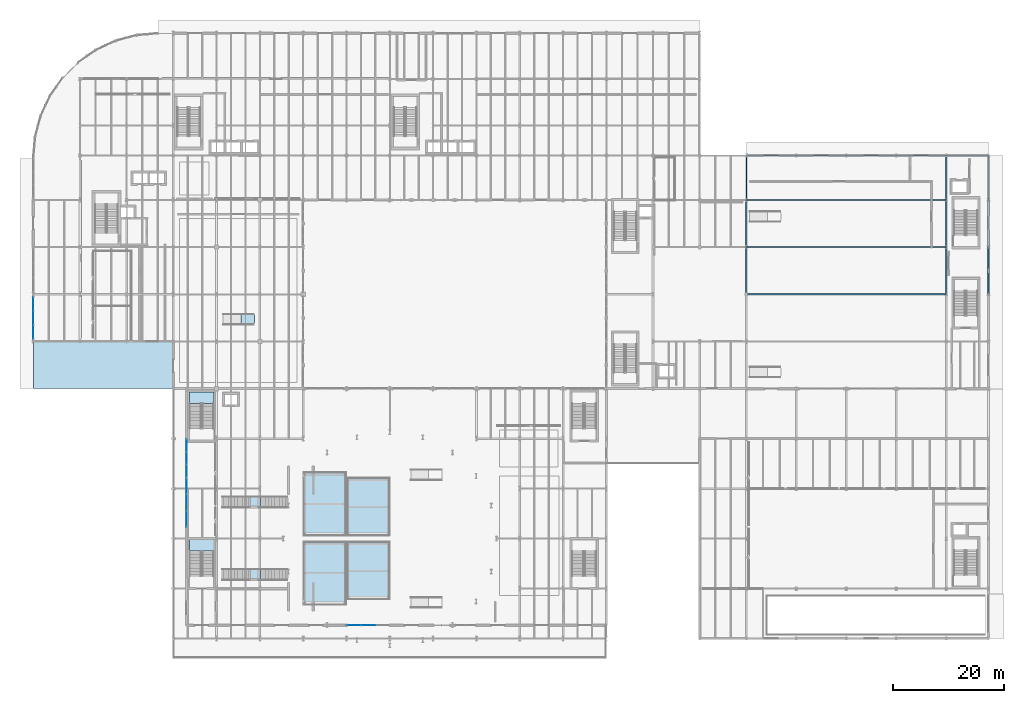
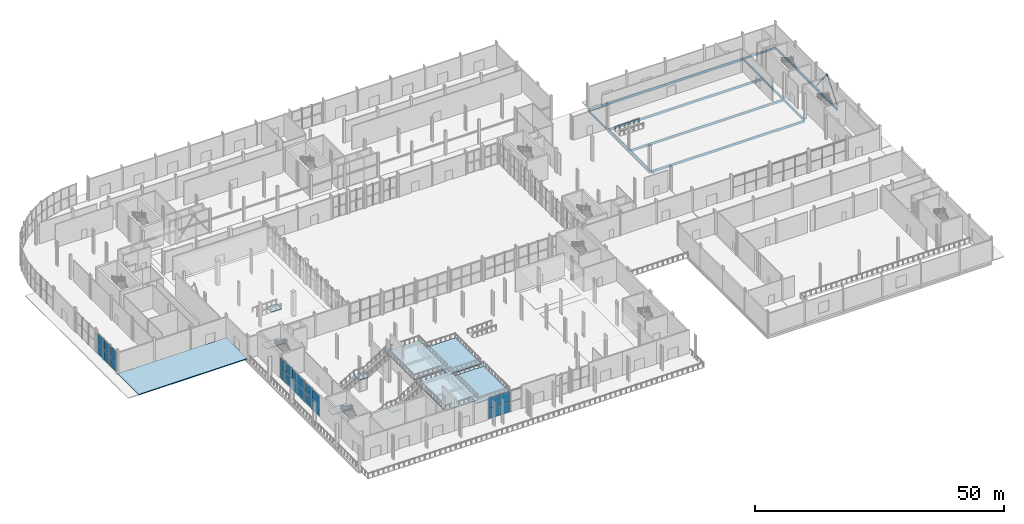
# One storey, part 45 of 84: 22 plates, 17 beams, 10 slabs, 2 members, 9 elements without a shape of their own.
"""IFC4 building model written with IfcOpenShell, lengths in metres."""

from ifc_helpers import new_model, si_unit, direction, frame, origin, origin_2d, place, context, subcontext, project, spatial, polyline, rectangle, hollow_circle, i_section, outline, extrude, material, layer, layer_set, material_profile, profile_set, type_object, element, aggregate, save


model = new_model("IFC4")

# Units and contexts
model_context = context("Model", 3, precision=1e-05, world=origin(), true_north=direction((0.0, 1.0)))
body_context = subcontext(model_context, "Body", "Model", "MODEL_VIEW")
ifc_project = project(units=[si_unit("LENGTHUNIT", "METRE"), si_unit("AREAUNIT", "SQUARE_METRE"), si_unit("VOLUMEUNIT", "CUBIC_METRE"), si_unit("PLANEANGLEUNIT", "RADIAN"), si_unit("MASSUNIT", "GRAM", prefix="KILO")], contexts=[model_context])

# Site, building, storey
site_placement = place(None, origin())
site = spatial("IfcSite", under=ifc_project, at=site_placement, CompositionType="ELEMENT")
building_placement = place(site_placement, origin())
building = spatial("IfcBuilding", under=site, at=building_placement, Name="Sefraquen Railside Congress Hotel", CompositionType="ELEMENT")
storey_placement = place(building_placement, origin())
storey = spatial("IfcBuildingStorey", under=building, at=storey_placement, Name="L00", CompositionType="ELEMENT", Elevation=0.0)

# Beams
ifc_material_1 = material(Name="Steel S355JR", Category="steel")
ifc_material_profile_1 = material_profile(ifc_material_1, i_section(OverallWidth=0.18994140625, OverallDepth=0.449951171875, WebThickness=0.009521484375, FlangeThickness=0.0146484375, FilletRadius=0.02099609375, at=origin_2d()), Name="IPE 450")
ifc_profile_set_1 = profile_set([ifc_material_profile_1], Name="Steel S355JR")
beam_type_1 = type_object("IfcBeamType", Name="TB-BM-450", PredefinedType="BEAM", material=ifc_profile_set_1)
for number, where, z_axis, x_axis, name in (
    (1, (128.39990234375, 88.0, -0.625), (0.0, 1.0, 0.0), (-1.0, 0.0, 0.0), "Floor beam BM-L00-0313"),
    (2, (164.39990234375, 88.0, -0.625), (0.0, 1.0, 0.0), (-1.0, 0.0, 0.0), "Floor beam BM-L00-0328"),
    (3, (172.0, 88.0, -0.625), (0.0, 1.0, 0.0), (-1.0, 0.0, 0.0), "Floor beam BM-L00-0338"),
):
    element("IfcBeam", number, at=place(storey_placement, frame(where, z_axis=z_axis, x_axis=x_axis)), inside=storey, type_object=beam_type_1, Name=name, PredefinedType="BEAM", context=body_context, shape_type="SweptSolid", body=[
        extrude(i_section(OverallWidth=0.18994140625, OverallDepth=0.449951171875, WebThickness=0.009521484375, FlangeThickness=0.0146484375, FilletRadius=0.02099609375, at=origin_2d()), origin(), (0.0, 0.0, 1.0), 8.0),
    ])
ifc_material_profile_2 = material_profile(ifc_material_1, i_section(OverallWidth=0.199951171875, OverallDepth=0.5, WebThickness=0.01025390625, FlangeThickness=0.01611328125, FilletRadius=0.02099609375, at=origin_2d()), Name="IPE 500")
ifc_profile_set_2 = profile_set([ifc_material_profile_2], Name="Steel S355JR")
beam_type_2 = type_object("IfcBeamType", Name="TB-BM-500", PredefinedType="BEAM", material=ifc_profile_set_2)
beam_placement = place(storey_placement, frame((164.39990234375, 96.0, -0.64990234375), z_axis=(1.0, 0.0, 0.0), x_axis=(0.0, 1.0, 0.0)))
element("IfcBeam", 4, at=beam_placement, inside=storey, type_object=beam_type_2, Name="Primary girder BM-L00-0134", PredefinedType="BEAM", context=body_context, shape_type="SweptSolid", body=[
    extrude(i_section(OverallWidth=0.199951171875, OverallDepth=0.5, WebThickness=0.01025390625, FlangeThickness=0.01611328125, FilletRadius=0.02099609375, at=origin_2d()), origin(), (0.0, 0.0, 1.0), 7.60009765625),
])
ifc_material_profile_3 = material_profile(ifc_material_1, i_section(OverallWidth=0.300048828125, OverallDepth=0.489990234375, WebThickness=0.011962890625, FlangeThickness=0.02294921875, FilletRadius=0.027099609375, at=origin_2d()), Name="HEA 500")
ifc_profile_set_3 = profile_set([ifc_material_profile_3], Name="Steel S355JR")
beam_type_3 = type_object("IfcBeamType", Name="TB-GIR-500", PredefinedType="T_BEAM", material=ifc_profile_set_3)
for number, where, z_axis, x_axis, name in (
    (5, (128.39990234375, 71.0, -0.64501953125), (0.0, 1.0, 0.0), (-1.0, 0.0, 0.0), "Floor beam BM-L00-0311"),
    (6, (128.39990234375, 79.5, -0.64501953125), (0.0, 1.0, 0.0), (-1.0, 0.0, 0.0), "Floor beam BM-L00-0312"),
    (7, (164.39990234375, 71.0, -0.64501953125), (0.0, 1.0, 0.0), (-1.0, 0.0, 0.0), "Floor beam BM-L00-0326"),
    (8, (164.39990234375, 79.5, -0.64501953125), (0.0, 1.0, 0.0), (-1.0, 0.0, 0.0), "Floor beam BM-L00-0327"),
    (9, (172.0, 71.0, -0.64501953125), (0.0, 1.0, 0.0), (-1.0, 0.0, 0.0), "Floor beam BM-L00-0336"),
    (10, (172.0, 79.5, -0.64501953125), (0.0, 1.0, 0.0), (-1.0, 0.0, 0.0), "Floor beam BM-L00-0337"),
):
    element("IfcBeam", number, at=place(storey_placement, frame(where, z_axis=z_axis, x_axis=x_axis)), inside=storey, type_object=beam_type_3, Name=name, PredefinedType="T_BEAM", context=body_context, shape_type="SweptSolid", body=[
        extrude(i_section(OverallWidth=0.300048828125, OverallDepth=0.489990234375, WebThickness=0.011962890625, FlangeThickness=0.02294921875, FilletRadius=0.027099609375, at=origin_2d()), origin(), (0.0, 0.0, 1.0), 8.5),
    ])
ifc_material_profile_4 = material_profile(ifc_material_1, i_section(OverallWidth=0.219970703125, OverallDepth=0.60009765625, WebThickness=0.011962890625, FlangeThickness=0.01904296875, FilletRadius=0.02392578125, at=origin_2d()), Name="IPE 600")
ifc_profile_set_4 = profile_set([ifc_material_profile_4], Name="Steel S355JR")
beam_type_4 = type_object("IfcBeamType", Name="TB-GIR-600", PredefinedType="T_BEAM", material=ifc_profile_set_4)
for number, where, z_axis, x_axis, name in (
    (11, (128.39990234375, 71.0, -0.699951171875), (1.0, 0.0, 0.0), (0.0, 1.0, 0.0), "Primary girder BM-L00-0089"),
    (12, (128.39990234375, 79.5, -0.699951171875), (1.0, 0.0, 0.0), (0.0, 1.0, 0.0), "Primary girder BM-L00-0098"),
    (13, (128.39990234375, 88.0, -0.699951171875), (1.0, 0.0, 0.0), (0.0, 1.0, 0.0), "Primary girder BM-L00-0114"),
):
    element("IfcBeam", number, at=place(storey_placement, frame(where, z_axis=z_axis, x_axis=x_axis)), inside=storey, type_object=beam_type_4, Name=name, PredefinedType="T_BEAM", context=body_context, shape_type="SweptSolid", body=[
        extrude(i_section(OverallWidth=0.219970703125, OverallDepth=0.60009765625, WebThickness=0.011962890625, FlangeThickness=0.01904296875, FilletRadius=0.02392578125, at=origin_2d()), origin(), (0.0, 0.0, 1.0), 36.0),
    ])
for number, where, z_axis, x_axis, name in (
    (14, (128.39990234375, 96.0, -0.699951171875), (1.0, 0.0, 0.0), (0.0, 1.0, 0.0), "Primary girder BM-L00-0130"),
    (15, (137.39990234375, 96.0, -0.699951171875), (1.0, 0.0, 0.0), (0.0, 1.0, 0.0), "Primary girder BM-L00-0131"),
    (16, (146.39990234375, 96.0, -0.699951171875), (1.0, 0.0, 0.0), (0.0, 1.0, 0.0), "Primary girder BM-L00-0132"),
    (17, (155.39990234375, 96.0, -0.699951171875), (1.0, 0.0, 0.0), (0.0, 1.0, 0.0), "Primary girder BM-L00-0133"),
):
    element("IfcBeam", number, at=place(storey_placement, frame(where, z_axis=z_axis, x_axis=x_axis)), inside=storey, type_object=beam_type_4, Name=name, PredefinedType="T_BEAM", context=body_context, shape_type="SweptSolid", body=[
        extrude(i_section(OverallWidth=0.219970703125, OverallDepth=0.60009765625, WebThickness=0.011962890625, FlangeThickness=0.01904296875, FilletRadius=0.02392578125, at=origin_2d()), origin(), (0.0, 0.0, 1.0), 9.0),
    ])

# Members
ifc_material_2 = material(Name="Steel S355J2", Category="steel")
ifc_material_profile_5 = material_profile(ifc_material_2, hollow_circle(Radius=0.136474609375, WallThickness=0.012451171875, at=origin_2d()), Name="CHS 273x12.5")
ifc_profile_set_5 = profile_set([ifc_material_profile_5], Name="Steel S355J2")
member_type = type_object("IfcMemberType", Name="TM-BR-273", PredefinedType="BRACE", material=ifc_profile_set_5)
for number, where, z_axis, x_axis, name in (
    (18, (172.0, 71.0, 0.14990234375), (0.0, 0.625588676806, 0.780153066681), (-1.0, 0.0, 0.0), "Chevron braced-frame diagonal BF3-L L00"),
    (19, (172.0, 79.5, 0.14990234375), (0.0, -0.625588676806, 0.780153066681), (1.0, 0.0, 0.0), "Chevron braced-frame diagonal BF3-R L00"),
):
    element("IfcMember", number, at=place(storey_placement, frame(where, z_axis=z_axis, x_axis=x_axis)), inside=storey, type_object=member_type, Name=name, PredefinedType="BRACE", context=body_context, shape_type="SweptSolid", body=[
        extrude(hollow_circle(Radius=0.136474609375, WallThickness=0.012451171875, at=origin_2d()), origin(), (0.0, 0.0, 1.0), 6.793701171875),
    ])

# Curtain wall, plates
ifc_material_3 = material(Name="Thermally broken anodised aluminium and low-E double glazing", Category="aluminium")
ifc_layer_1 = layer(ifc_material_3, 0.199951171875)
ifc_layer_set_1 = layer_set([ifc_layer_1], Name="Thermally broken anodised aluminium and low-E double glazing")
curtain_wall_type_1 = type_object("IfcCurtainWallType", Name="TCW-UCW-01", PredefinedType="USERDEFINED", material=ifc_layer_set_1)
curtain_wall_1_placement = place(storey_placement, origin())
curtain_wall_1 = element("IfcCurtainWall", 20, at=curtain_wall_1_placement, inside=storey, type_object=curtain_wall_type_1, Name="Congress arcade curtain wall UCW-01", ObjectType="UNITISED CURTAIN WALL", PredefinedType="USERDEFINED")
ifc_material_4 = material(Name="Solar-control low-E double glazing", Category="glass")
ifc_layer_2 = layer(ifc_material_4, 0.02392578125)
ifc_layer_set_2 = layer_set([ifc_layer_2], Name="Solar-control low-E double glazing")
plate_type_1 = type_object("IfcPlateType", Name="TP-CWP-01", PredefinedType="CURTAIN_PANEL", material=ifc_layer_set_2)
plate_1_placement = place(storey_placement, frame((57.726806640625, 11.39990234375, 0.0400390625), z_axis=(0.0, 0.0, 1.0), x_axis=(1.0, 0.0, 0.0)))
plate_1 = element("IfcPlate", 21, at=plate_1_placement, type_object=plate_type_1, Name="CW-L00-001 panel 1.1", PredefinedType="CURTAIN_PANEL", context=body_context, shape_type="SweptSolid", body=[
    extrude(rectangle(XDim=2.4833984375, YDim=0.02392578125, at=origin_2d()), origin(), (0.0, 0.0, 1.0), 2.4951171875),
])
plate_2_placement = place(storey_placement, frame((60.300048828125, 11.39990234375, 0.0400390625), z_axis=(0.0, 0.0, 1.0), x_axis=(1.0, 0.0, 0.0)))
plate_2 = element("IfcPlate", 22, at=plate_2_placement, type_object=plate_type_1, Name="CW-L00-001 panel 1.2", PredefinedType="CURTAIN_PANEL", context=body_context, shape_type="SweptSolid", body=[
    extrude(rectangle(XDim=2.4833984375, YDim=0.02392578125, at=origin_2d()), origin(), (0.0, 0.0, 1.0), 2.4951171875),
])

ifc_layer_3 = layer(ifc_material_3, 0.199951171875)
ifc_layer_set_3 = layer_set([ifc_layer_3], Name="Thermally broken anodised aluminium and low-E double glazing")
curtain_wall_type_2 = type_object("IfcCurtainWallType", Name="TCW-UCW-04", PredefinedType="USERDEFINED", material=ifc_layer_set_3)
curtain_wall_2_placement = place(storey_placement, origin())
curtain_wall_2 = element("IfcCurtainWall", 23, at=curtain_wall_2_placement, inside=storey, type_object=curtain_wall_type_2, Name="Congress west colonnade curtain wall UCW-04", ObjectType="UNITISED CURTAIN WALL", PredefinedType="USERDEFINED")
plate_3_placement = place(storey_placement, frame((27.60009765625, 30.526611328125, 0.0400390625), z_axis=(0.0, 0.0, 1.0), x_axis=(0.0, 1.0, 0.0)))
plate_3 = element("IfcPlate", 24, at=plate_3_placement, type_object=plate_type_1, Name="CW-L00-004 panel 1.1", PredefinedType="CURTAIN_PANEL", context=body_context, shape_type="SweptSolid", body=[
    extrude(rectangle(XDim=2.88330078125, YDim=0.02392578125, at=origin_2d()), origin(), (0.0, 0.0, 1.0), 2.4951171875),
])
plate_4_placement = place(storey_placement, frame((27.60009765625, 33.5, 0.0400390625), z_axis=(0.0, 0.0, 1.0), x_axis=(0.0, 1.0, 0.0)))
plate_4 = element("IfcPlate", 25, at=plate_4_placement, type_object=plate_type_1, Name="CW-L00-004 panel 1.2", PredefinedType="CURTAIN_PANEL", context=body_context, shape_type="SweptSolid", body=[
    extrude(rectangle(XDim=2.88330078125, YDim=0.02392578125, at=origin_2d()), origin(), (0.0, 0.0, 1.0), 2.4951171875),
])
plate_5_placement = place(storey_placement, frame((27.60009765625, 36.473388671875, 0.0400390625), z_axis=(0.0, 0.0, 1.0), x_axis=(0.0, 1.0, 0.0)))
plate_5 = element("IfcPlate", 26, at=plate_5_placement, type_object=plate_type_1, Name="CW-L00-004 panel 1.3", PredefinedType="CURTAIN_PANEL", context=body_context, shape_type="SweptSolid", body=[
    extrude(rectangle(XDim=2.88330078125, YDim=0.02392578125, at=origin_2d()), origin(), (0.0, 0.0, 1.0), 2.4951171875),
])

ifc_layer_4 = layer(ifc_material_3, 0.199951171875)
ifc_layer_set_4 = layer_set([ifc_layer_4], Name="Thermally broken anodised aluminium and low-E double glazing")
curtain_wall_type_3 = type_object("IfcCurtainWallType", Name="TCW-UCW-05", PredefinedType="USERDEFINED", material=ifc_layer_set_4)
curtain_wall_3_placement = place(storey_placement, origin())
curtain_wall_3 = element("IfcCurtainWall", 27, at=curtain_wall_3_placement, inside=storey, type_object=curtain_wall_type_3, Name="Congress west colonnade curtain wall UCW-05", ObjectType="UNITISED CURTAIN WALL", PredefinedType="USERDEFINED")
plate_6_placement = place(storey_placement, frame((27.60009765625, 39.193359375, 0.0400390625), z_axis=(0.0, 0.0, 1.0), x_axis=(0.0, 1.0, 0.0)))
plate_6 = element("IfcPlate", 28, at=plate_6_placement, type_object=plate_type_1, Name="CW-L00-005 panel 1.1", PredefinedType="CURTAIN_PANEL", context=body_context, shape_type="SweptSolid", body=[
    extrude(rectangle(XDim=2.216796875, YDim=0.02392578125, at=origin_2d()), origin(), (0.0, 0.0, 1.0), 2.4951171875),
])
plate_7_placement = place(storey_placement, frame((27.60009765625, 41.5, 0.0400390625), z_axis=(0.0, 0.0, 1.0), x_axis=(0.0, 1.0, 0.0)))
plate_7 = element("IfcPlate", 29, at=plate_7_placement, type_object=plate_type_1, Name="CW-L00-005 panel 1.2", PredefinedType="CURTAIN_PANEL", context=body_context, shape_type="SweptSolid", body=[
    extrude(rectangle(XDim=2.216796875, YDim=0.02392578125, at=origin_2d()), origin(), (0.0, 0.0, 1.0), 2.4951171875),
])
plate_8_placement = place(storey_placement, frame((27.60009765625, 43.806640625, 0.0400390625), z_axis=(0.0, 0.0, 1.0), x_axis=(0.0, 1.0, 0.0)))
plate_8 = element("IfcPlate", 30, at=plate_8_placement, type_object=plate_type_1, Name="CW-L00-005 panel 1.3", PredefinedType="CURTAIN_PANEL", context=body_context, shape_type="SweptSolid", body=[
    extrude(rectangle(XDim=2.216796875, YDim=0.02392578125, at=origin_2d()), origin(), (0.0, 0.0, 1.0), 2.4951171875),
])

ifc_layer_5 = layer(ifc_material_3, 0.199951171875)
ifc_layer_set_5 = layer_set([ifc_layer_5], Name="Thermally broken anodised aluminium and low-E double glazing")
curtain_wall_type_4 = type_object("IfcCurtainWallType", Name="TCW-UCW-25", PredefinedType="USERDEFINED", material=ifc_layer_set_5)
curtain_wall_4_placement = place(storey_placement, origin())
curtain_wall_4 = element("IfcCurtainWall", 31, at=curtain_wall_4_placement, inside=storey, type_object=curtain_wall_type_4, Name="Hotel West Forecourt curtain wall UCW-25", ObjectType="UNITISED CURTAIN WALL", PredefinedType="USERDEFINED")
plate_9_placement = place(storey_placement, frame((0.0, 64.2099609375, 0.0400390625), z_axis=(0.0, 0.0, 1.0), x_axis=(0.0, 1.0, 0.0)))
plate_9 = element("IfcPlate", 32, at=plate_9_placement, type_object=plate_type_1, Name="CW-L00-025 panel 1.1", PredefinedType="CURTAIN_PANEL", context=body_context, shape_type="SweptSolid", body=[
    extrude(rectangle(XDim=2.449951171875, YDim=0.02392578125, at=origin_2d()), origin(), (0.0, 0.0, 1.0), 2.4951171875),
])
plate_10_placement = place(storey_placement, frame((0.0, 66.75, 0.0400390625), z_axis=(0.0, 0.0, 1.0), x_axis=(0.0, 1.0, 0.0)))
plate_10 = element("IfcPlate", 33, at=plate_10_placement, type_object=plate_type_1, Name="CW-L00-025 panel 1.2", PredefinedType="CURTAIN_PANEL", context=body_context, shape_type="SweptSolid", body=[
    extrude(rectangle(XDim=2.449951171875, YDim=0.02392578125, at=origin_2d()), origin(), (0.0, 0.0, 1.0), 2.4951171875),
])
plate_11_placement = place(storey_placement, frame((0.0, 69.2900390625, 0.0400390625), z_axis=(0.0, 0.0, 1.0), x_axis=(0.0, 1.0, 0.0)))
plate_11 = element("IfcPlate", 34, at=plate_11_placement, type_object=plate_type_1, Name="CW-L00-025 panel 1.3", PredefinedType="CURTAIN_PANEL", context=body_context, shape_type="SweptSolid", body=[
    extrude(rectangle(XDim=2.449951171875, YDim=0.02392578125, at=origin_2d()), origin(), (0.0, 0.0, 1.0), 2.4951171875),
])

# Plate
ifc_material_5 = material(Name="Triple acoustic solar-control glazing", Category="glass")
ifc_layer_6 = layer(ifc_material_5, 0.031982421875)
ifc_layer_set_6 = layer_set([ifc_layer_6], Name="Triple acoustic solar-control glazing")
plate_type_2 = type_object("IfcPlateType", Name="TP-CWP-02", PredefinedType="CURTAIN_PANEL", material=ifc_layer_set_6)
plate_12_placement = place(storey_placement, frame((57.726806640625, 11.39990234375, 2.614990234375), z_axis=(0.0, 0.0, 1.0), x_axis=(1.0, 0.0, 0.0)))
plate_12 = element("IfcPlate", 35, at=plate_12_placement, type_object=plate_type_2, Name="CW-L00-001 panel 2.1", PredefinedType="CURTAIN_PANEL", context=body_context, shape_type="SweptSolid", body=[
    extrude(rectangle(XDim=2.4833984375, YDim=0.031982421875, at=origin_2d()), origin(), (0.0, 0.0, 1.0), 2.4951171875),
])

plate_13_placement = place(storey_placement, frame((60.300048828125, 11.39990234375, 2.614990234375), z_axis=(0.0, 0.0, 1.0), x_axis=(1.0, 0.0, 0.0)))
plate_13 = element("IfcPlate", 36, at=plate_13_placement, type_object=plate_type_2, Name="CW-L00-001 panel 2.2", PredefinedType="CURTAIN_PANEL", context=body_context, shape_type="SweptSolid", body=[
    extrude(rectangle(XDim=2.4833984375, YDim=0.031982421875, at=origin_2d()), origin(), (0.0, 0.0, 1.0), 2.4951171875),
])

aggregate(curtain_wall_1, [plate_1, plate_2, plate_12, plate_13])

plate_14_placement = place(storey_placement, frame((27.60009765625, 30.526611328125, 2.614990234375), z_axis=(0.0, 0.0, 1.0), x_axis=(0.0, 1.0, 0.0)))
plate_14 = element("IfcPlate", 37, at=plate_14_placement, type_object=plate_type_2, Name="CW-L00-004 panel 2.1", PredefinedType="CURTAIN_PANEL", context=body_context, shape_type="SweptSolid", body=[
    extrude(rectangle(XDim=2.88330078125, YDim=0.031982421875, at=origin_2d()), origin(), (0.0, 0.0, 1.0), 2.4951171875),
])

plate_15_placement = place(storey_placement, frame((27.60009765625, 33.5, 2.614990234375), z_axis=(0.0, 0.0, 1.0), x_axis=(0.0, 1.0, 0.0)))
plate_15 = element("IfcPlate", 38, at=plate_15_placement, type_object=plate_type_2, Name="CW-L00-004 panel 2.2", PredefinedType="CURTAIN_PANEL", context=body_context, shape_type="SweptSolid", body=[
    extrude(rectangle(XDim=2.88330078125, YDim=0.031982421875, at=origin_2d()), origin(), (0.0, 0.0, 1.0), 2.4951171875),
])

plate_16_placement = place(storey_placement, frame((27.60009765625, 36.473388671875, 2.614990234375), z_axis=(0.0, 0.0, 1.0), x_axis=(0.0, 1.0, 0.0)))
plate_16 = element("IfcPlate", 39, at=plate_16_placement, type_object=plate_type_2, Name="CW-L00-004 panel 2.3", PredefinedType="CURTAIN_PANEL", context=body_context, shape_type="SweptSolid", body=[
    extrude(rectangle(XDim=2.88330078125, YDim=0.031982421875, at=origin_2d()), origin(), (0.0, 0.0, 1.0), 2.4951171875),
])

aggregate(curtain_wall_2, [plate_3, plate_4, plate_5, plate_14, plate_15, plate_16])

plate_17_placement = place(storey_placement, frame((27.60009765625, 39.193359375, 2.614990234375), z_axis=(0.0, 0.0, 1.0), x_axis=(0.0, 1.0, 0.0)))
plate_17 = element("IfcPlate", 40, at=plate_17_placement, type_object=plate_type_2, Name="CW-L00-005 panel 2.1", PredefinedType="CURTAIN_PANEL", context=body_context, shape_type="SweptSolid", body=[
    extrude(rectangle(XDim=2.216796875, YDim=0.031982421875, at=origin_2d()), origin(), (0.0, 0.0, 1.0), 2.4951171875),
])

plate_18_placement = place(storey_placement, frame((27.60009765625, 41.5, 2.614990234375), z_axis=(0.0, 0.0, 1.0), x_axis=(0.0, 1.0, 0.0)))
plate_18 = element("IfcPlate", 41, at=plate_18_placement, type_object=plate_type_2, Name="CW-L00-005 panel 2.2", PredefinedType="CURTAIN_PANEL", context=body_context, shape_type="SweptSolid", body=[
    extrude(rectangle(XDim=2.216796875, YDim=0.031982421875, at=origin_2d()), origin(), (0.0, 0.0, 1.0), 2.4951171875),
])

plate_19_placement = place(storey_placement, frame((27.60009765625, 43.806640625, 2.614990234375), z_axis=(0.0, 0.0, 1.0), x_axis=(0.0, 1.0, 0.0)))
plate_19 = element("IfcPlate", 42, at=plate_19_placement, type_object=plate_type_2, Name="CW-L00-005 panel 2.3", PredefinedType="CURTAIN_PANEL", context=body_context, shape_type="SweptSolid", body=[
    extrude(rectangle(XDim=2.216796875, YDim=0.031982421875, at=origin_2d()), origin(), (0.0, 0.0, 1.0), 2.4951171875),
])

aggregate(curtain_wall_3, [plate_6, plate_7, plate_8, plate_17, plate_18, plate_19])

plate_20_placement = place(storey_placement, frame((0.0, 64.2099609375, 2.614990234375), z_axis=(0.0, 0.0, 1.0), x_axis=(0.0, 1.0, 0.0)))
plate_20 = element("IfcPlate", 43, at=plate_20_placement, type_object=plate_type_2, Name="CW-L00-025 panel 2.1", PredefinedType="CURTAIN_PANEL", context=body_context, shape_type="SweptSolid", body=[
    extrude(rectangle(XDim=2.449951171875, YDim=0.031982421875, at=origin_2d()), origin(), (0.0, 0.0, 1.0), 2.4951171875),
])

plate_21_placement = place(storey_placement, frame((0.0, 66.75, 2.614990234375), z_axis=(0.0, 0.0, 1.0), x_axis=(0.0, 1.0, 0.0)))
plate_21 = element("IfcPlate", 44, at=plate_21_placement, type_object=plate_type_2, Name="CW-L00-025 panel 2.2", PredefinedType="CURTAIN_PANEL", context=body_context, shape_type="SweptSolid", body=[
    extrude(rectangle(XDim=2.449951171875, YDim=0.031982421875, at=origin_2d()), origin(), (0.0, 0.0, 1.0), 2.4951171875),
])

plate_22_placement = place(storey_placement, frame((0.0, 69.2900390625, 2.614990234375), z_axis=(0.0, 0.0, 1.0), x_axis=(0.0, 1.0, 0.0)))
plate_22 = element("IfcPlate", 45, at=plate_22_placement, type_object=plate_type_2, Name="CW-L00-025 panel 2.3", PredefinedType="CURTAIN_PANEL", context=body_context, shape_type="SweptSolid", body=[
    extrude(rectangle(XDim=2.449951171875, YDim=0.031982421875, at=origin_2d()), origin(), (0.0, 0.0, 1.0), 2.4951171875),
])

aggregate(curtain_wall_4, [plate_9, plate_10, plate_11, plate_20, plate_21, plate_22])

# Slab
ifc_material_6 = material(Name="Concrete C40/50", Category="concrete")
ifc_layer_7 = layer(ifc_material_6, 0.219970703125)
ifc_layer_set_7 = layer_set([ifc_layer_7], Name="Concrete C40/50")
slab_type_1 = type_object("IfcSlabType", Name="TS-FS-220", PredefinedType="FLOOR", material=ifc_layer_set_7)
slab_1_placement = place(storey_placement, frame((0.0, 0.0, -0.219970703125)))
element("IfcSlab", 46, at=slab_1_placement, inside=storey, type_object=slab_type_1, Name="South-west forecourt foyer entrance plaza", ObjectType="PAVING", PredefinedType="USERDEFINED", context=body_context, shape_type="SweptSolid", body=[
    extrude(outline(polyline([(0.0, 54.050048828125), (25.199951171875, 54.050048828125), (25.199951171875, 62.5), (0.0, 62.5), (0.0, 54.050048828125)])), origin(), (0.0, 0.0, 1.0), 0.219970703125),
])

# Ramp, slab
ramp_type = type_object("IfcRampType", Name="TRP-PED-01", PredefinedType="STRAIGHT_RUN_RAMP", material=ifc_material_6)
ramp_placement = place(storey_placement, origin())
ramp = element("IfcRamp", 47, at=ramp_placement, inside=storey, type_object=ramp_type, Name="Accessible 1:20 interior dais ramp RMP-L00-PED-05", PredefinedType="STRAIGHT_RUN_RAMP")
ifc_layer_8 = layer(ifc_material_6, 0.199951171875)
ifc_layer_set_8 = layer_set([ifc_layer_8], Name="Concrete C40/50")
slab_type_2 = type_object("IfcSlabType", Name="TS-LD-200", PredefinedType="LANDING", material=ifc_layer_set_8)
slab_2_placement = place(storey_placement, origin())
slab_2 = element("IfcSlab", 48, at=slab_2_placement, type_object=slab_type_2, Name="Accessible dais landing slab RMP-L00-PED-05", PredefinedType="LANDING", context=body_context, shape_type="SweptSolid", body=[
    extrude(outline(polyline([(37.39990234375, 65.5), (39.800048828125, 65.5), (39.800048828125, 67.5), (37.39990234375, 67.5), (37.39990234375, 65.5)])), origin(), (0.0, 0.0, 1.0), 0.159912109375),
])
aggregate(ramp, [slab_2])

# Stair, slab
stair_type_1 = type_object("IfcStairType", Name="TST-DOG-210-600", PredefinedType="HALF_TURN_STAIR", material=ifc_material_6)
stair_1_placement = place(storey_placement, origin())
stair_1 = element("IfcStair", 49, at=stair_1_placement, inside=storey, type_object=stair_type_1, Name="L00 Pressurized escape stair ST-C01", PredefinedType="HALF_TURN_STAIR")
slab_3_placement = place(storey_placement, frame((0.0, 0.0, 2.800048828125)))
slab_3 = element("IfcSlab", 50, at=slab_3_placement, type_object=slab_type_2, Name="ST-C01 landing 1", PredefinedType="LANDING", context=body_context, shape_type="SweptSolid", body=[
    extrude(outline(polyline([(32.5, 24.739990234375), (32.5, 26.840087890625), (28.10009765625, 26.840087890625), (28.10009765625, 24.739990234375), (32.5, 24.739990234375)])), origin(), (0.0, 0.0, 1.0), 0.199951171875),
])
aggregate(stair_1, [slab_3])

stair_type_2 = type_object("IfcStairType", Name="TST-DOG-210-540", PredefinedType="HALF_TURN_STAIR", material=ifc_material_6)
stair_2_placement = place(storey_placement, origin())
stair_2 = element("IfcStair", 51, at=stair_2_placement, inside=storey, type_object=stair_type_2, Name="L00 Pressurized escape stair ST-C02", PredefinedType="HALF_TURN_STAIR")
slab_4_placement = place(storey_placement, frame((0.0, 0.0, 2.800048828125)))
slab_4 = element("IfcSlab", 52, at=slab_4_placement, type_object=slab_type_2, Name="ST-C02 landing 1", PredefinedType="LANDING", context=body_context, shape_type="SweptSolid", body=[
    extrude(outline(polyline([(32.5, 51.330078125), (32.5, 53.429931640625), (28.10009765625, 53.429931640625), (28.10009765625, 51.330078125), (32.5, 51.330078125)])), origin(), (0.0, 0.0, 1.0), 0.199951171875),
])
aggregate(stair_2, [slab_4])

stair_type_3 = type_object("IfcStairType", Name="TST-STR-205-600", PredefinedType="STRAIGHT_RUN_STAIR", material=ifc_material_6)
stair_3_placement = place(storey_placement, origin())
stair_3 = element("IfcStair", 53, at=stair_3_placement, inside=storey, type_object=stair_type_3, Name="Congress Hall Vomitory Stair 1", PredefinedType="STRAIGHT_RUN_STAIR")
slab_5_placement = place(storey_placement, frame((0.0, 0.0, 2.800048828125)))
slab_5 = element("IfcSlab", 54, at=slab_5_placement, type_object=slab_type_2, Name="Congress Hall Vomitory Stair 1 mid-landing", PredefinedType="LANDING", context=body_context, shape_type="SweptSolid", body=[
    extrude(outline(polyline([(38.760009765625, 19.5), (40.93994140625, 19.5), (40.93994140625, 21.550048828125), (38.760009765625, 21.550048828125), (38.760009765625, 19.5)])), origin(), (0.0, 0.0, 1.0), 0.199951171875),
])
aggregate(stair_3, [slab_5])

stair_4_placement = place(storey_placement, origin())
stair_4 = element("IfcStair", 55, at=stair_4_placement, inside=storey, type_object=stair_type_3, Name="Congress Hall Vomitory Stair 2", PredefinedType="STRAIGHT_RUN_STAIR")
slab_6_placement = place(storey_placement, frame((0.0, 0.0, 2.800048828125)))
slab_6 = element("IfcSlab", 56, at=slab_6_placement, type_object=slab_type_2, Name="Congress Hall Vomitory Stair 2 mid-landing", PredefinedType="LANDING", context=body_context, shape_type="SweptSolid", body=[
    extrude(outline(polyline([(38.760009765625, 32.550048828125), (40.93994140625, 32.550048828125), (40.93994140625, 34.60009765625), (38.760009765625, 34.60009765625), (38.760009765625, 32.550048828125)])), origin(), (0.0, 0.0, 1.0), 0.199951171875),
])
aggregate(stair_4, [slab_6])

# Slabs
ifc_material_7 = material(Name="Precast concrete C40/50", Category="concrete")
ifc_layer_9 = layer(ifc_material_7, 0.159912109375)
ifc_layer_set_9 = layer_set([ifc_layer_9], Name="Precast concrete C40/50")
slab_type_3 = type_object("IfcSlabType", Name="TS-ST-160", PredefinedType="USERDEFINED", material=ifc_layer_set_9)
slab_7_placement = place(storey_placement, frame((0.0, 0.0, 1.0400390625)))
element("IfcSlab", 57, at=slab_7_placement, inside=storey, type_object=slab_type_3, Name="Stand lower tier 1", ObjectType="SEATING TIER", PredefinedType="USERDEFINED", context=body_context, shape_type="SweptSolid", body=[
    extrude(outline(polyline([(56.39990234375, 16.0), (64.199951171875, 16.0), (64.199951171875, 26.5), (56.39990234375, 26.5), (56.39990234375, 16.0)])), origin(), (0.0, 0.0, 1.0), 0.159912109375),
])
slab_8_placement = place(storey_placement, frame((0.0, 0.0, 1.0400390625)))
element("IfcSlab", 58, at=slab_8_placement, inside=storey, type_object=slab_type_3, Name="Stand lower tier 2", ObjectType="SEATING TIER", PredefinedType="USERDEFINED", context=body_context, shape_type="SweptSolid", body=[
    extrude(outline(polyline([(56.39990234375, 27.5), (64.199951171875, 27.5), (64.199951171875, 38.0), (56.39990234375, 38.0), (56.39990234375, 27.5)])), origin(), (0.0, 0.0, 1.0), 0.159912109375),
])
slab_9_placement = place(storey_placement, frame((0.0, 0.0, 2.5400390625)))
element("IfcSlab", 59, at=slab_9_placement, inside=storey, type_object=slab_type_3, Name="Stand lower tier 3", ObjectType="SEATING TIER", PredefinedType="USERDEFINED", context=body_context, shape_type="SweptSolid", body=[
    extrude(outline(polyline([(48.60009765625, 15.0), (56.39990234375, 15.0), (56.39990234375, 26.5), (48.60009765625, 26.5), (48.60009765625, 15.0)])), origin(), (0.0, 0.0, 1.0), 0.159912109375),
])
slab_10_placement = place(storey_placement, frame((0.0, 0.0, 2.5400390625)))
element("IfcSlab", 60, at=slab_10_placement, inside=storey, type_object=slab_type_3, Name="Stand lower tier 4", ObjectType="SEATING TIER", PredefinedType="USERDEFINED", context=body_context, shape_type="SweptSolid", body=[
    extrude(outline(polyline([(48.60009765625, 27.5), (56.39990234375, 27.5), (56.39990234375, 39.0), (48.60009765625, 39.0), (48.60009765625, 27.5)])), origin(), (0.0, 0.0, 1.0), 0.159912109375),
])

save(model, "model.ifc")
